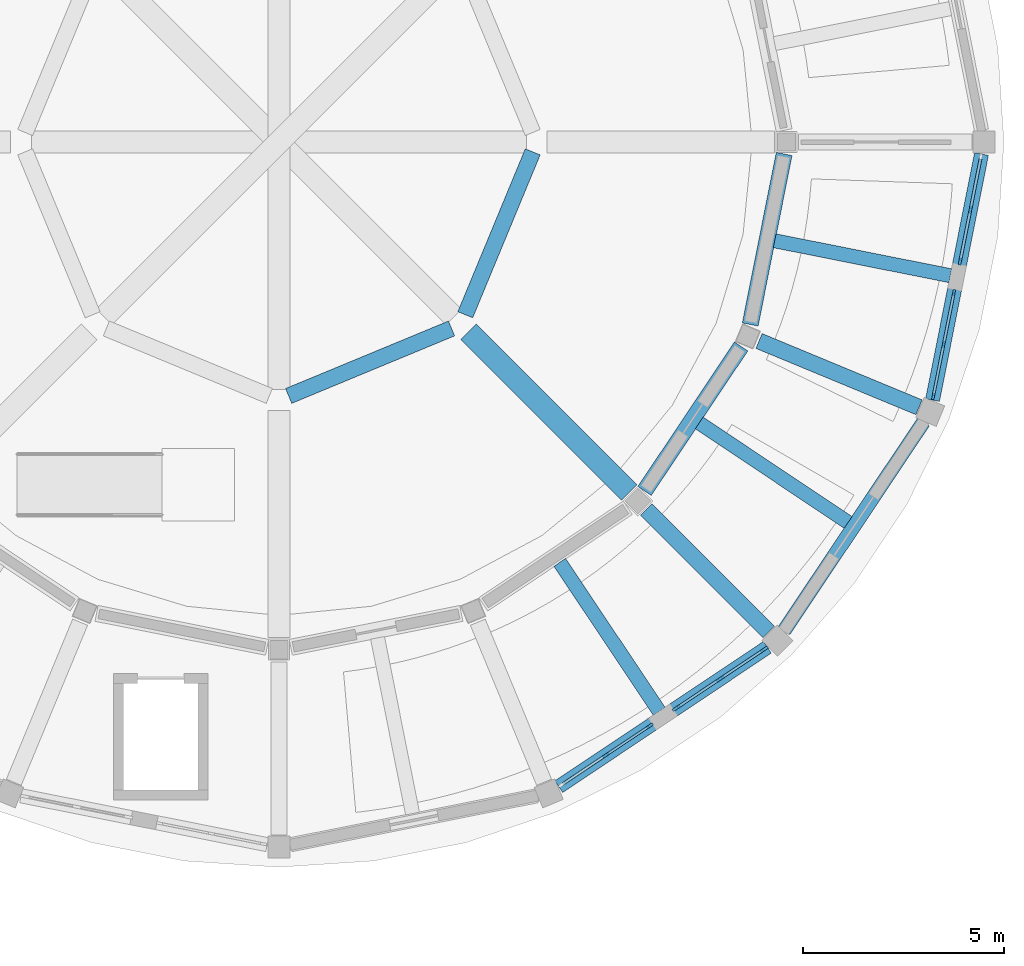
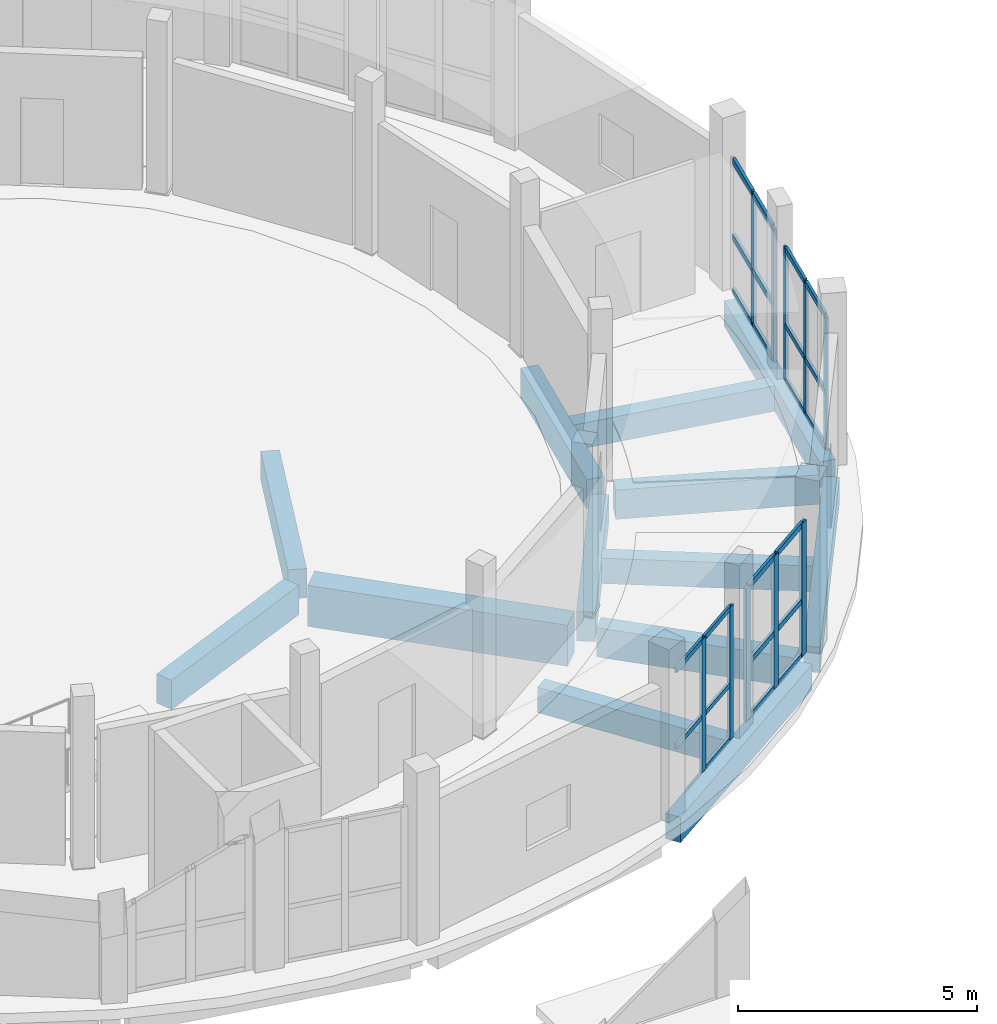
# One storey, part 46 of 92: 33 members, 13 beams, 4 elements without a shape of their own.
"""IFC4 building model written with IfcOpenShell, lengths in metres."""

from ifc_helpers import new_model, si_unit, direction, frame, origin, origin_2d, place, context, subcontext, project, spatial, rectangle, extrude, material, layer, layer_set, material_profile, profile_set, type_object, element, aggregate, save


model = new_model("IFC4")

# Units and contexts
model_context = context("Model", 3, precision=1e-05, world=origin(), true_north=direction((0.0, 1.0)))
body_context = subcontext(model_context, "Body", "Model", "MODEL_VIEW")
ifc_project = project(units=[si_unit("LENGTHUNIT", "METRE"), si_unit("AREAUNIT", "SQUARE_METRE"), si_unit("VOLUMEUNIT", "CUBIC_METRE"), si_unit("PLANEANGLEUNIT", "RADIAN"), si_unit("MASSUNIT", "GRAM", prefix="KILO")], contexts=[model_context])

# Site, building, storey
site_placement = place(None, origin())
site = spatial("IfcSite", under=ifc_project, at=site_placement, CompositionType="ELEMENT")
building_placement = place(site_placement, origin())
building = spatial("IfcBuilding", under=site, at=building_placement, Name="Caldaven Crescent School", CompositionType="ELEMENT")
storey_placement = place(building_placement, origin())
storey = spatial("IfcBuildingStorey", under=building, at=storey_placement, Name="L00", CompositionType="ELEMENT", Elevation=0.0)

# Beams
ifc_material_1 = material(Name="Concrete C30/37", Category="concrete")
ifc_material_profile_1 = material_profile(ifc_material_1, rectangle(XDim=0.35009765625, YDim=0.64990234375, at=origin_2d()), Name="RC 350x650")
ifc_profile_set_1 = profile_set([ifc_material_profile_1], Name="Concrete C30/37")
beam_type_1 = type_object("IfcBeamType", Name="BM-RC35", PredefinedType="BEAM", material=ifc_profile_set_1)
for number, where, z_axis, x_axis, name in (
    (1, (159.47119140625, 88.06689453125, -0.5849609375), (0.55554893791, -0.831483840845, 0.0), (0.831483840845, 0.55554893791, 0.0), "JS-V1-L00-0071"),
    (2, (162.93310546875, 91.52880859375, -0.5849609375), (0.831483840845, -0.55554893791, 0.0), (0.55554893791, 0.831483840845, 0.0), "JS-V1-L00-0077"),
):
    element("IfcBeam", number, at=place(storey_placement, frame(where, z_axis=z_axis, x_axis=x_axis)), inside=storey, type_object=beam_type_1, Name=name, PredefinedType="BEAM", context=body_context, shape_type="SweptSolid", body=[
        extrude(rectangle(XDim=0.35009765625, YDim=0.64990234375, at=origin_2d()), origin(), (0.0, 0.0, 1.0), 4.446044921875),
    ])
beam_1_placement = place(storey_placement, frame((164.806884765625, 96.052001953125, -0.5849609375), z_axis=(0.980780813205, -0.195112778797, 0.0), x_axis=(0.195112778797, 0.980780813205, 0.0)))
element("IfcBeam", 3, at=beam_1_placement, inside=storey, type_object=beam_type_1, Name="JS-V1-L00-0081", PredefinedType="BEAM", context=body_context, shape_type="SweptSolid", body=[
    extrude(rectangle(XDim=0.35009765625, YDim=0.64990234375, at=origin_2d()), origin(), (0.0, 0.0, 1.0), 4.44580078125),
])
ifc_material_2 = material(Name="Concrete C35/45", Category="concrete")
ifc_material_profile_2 = material_profile(ifc_material_2, rectangle(XDim=0.39990234375, YDim=0.75, at=origin_2d()), Name="RC 400x750")
ifc_profile_set_2 = profile_set([ifc_material_profile_2], Name="Concrete C35/45")
beam_type_2 = type_object("IfcBeamType", Name="BM-RC40", PredefinedType="BEAM", material=ifc_profile_set_2)
for number, where, z_axis, x_axis, name in (
    (4, (152.740234375, 92.199462890625, -0.635009765625), (0.923873426677, 0.38269817282, 0.0), (-0.38269817282, 0.923873426677, 0.0), "BM-V1-L00-0062"),
    (5, (157.125, 94.21484375, -0.635009765625), (0.38269817282, 0.923873426677, 0.0), (-0.923873426677, 0.38269817282, 0.0), "BM-V1-L00-0072"),
):
    element("IfcBeam", number, at=place(storey_placement, frame(where, z_axis=z_axis, x_axis=x_axis)), inside=storey, type_object=beam_type_2, Name=name, PredefinedType="BEAM", context=body_context, shape_type="SweptSolid", body=[
        extrude(rectangle(XDim=0.39990234375, YDim=0.75, at=origin_2d()), origin(), (0.0, 0.0, 1.0), 4.378173828125),
    ])
beam_2_placement = place(storey_placement, frame((161.62158203125, 89.37841796875, -0.635009765625), z_axis=(0.707106781187, -0.707106781187, 0.0), x_axis=(0.707106781187, 0.707106781187, 0.0)))
element("IfcBeam", 6, at=beam_2_placement, inside=storey, type_object=beam_type_2, Name="BM-V1-L00-0074", PredefinedType="BEAM", context=body_context, shape_type="SweptSolid", body=[
    extrude(rectangle(XDim=0.39990234375, YDim=0.75, at=origin_2d()), origin(), (0.0, 0.0, 1.0), 4.30029296875),
])
beam_3_placement = place(storey_placement, frame((161.576171875, 89.83984375, -0.635009765625), z_axis=(0.555561396292, 0.831475516747, 0.0), x_axis=(-0.831475516747, 0.555561396292, 0.0)))
element("IfcBeam", 7, at=beam_3_placement, inside=storey, type_object=beam_type_2, Name="BM-V1-L00-0075", PredefinedType="BEAM", context=body_context, shape_type="SweptSolid", body=[
    extrude(rectangle(XDim=0.39990234375, YDim=0.75, at=origin_2d()), origin(), (0.0, 0.0, 1.0), 4.316162109375),
])
beam_4_placement = place(storey_placement, frame((164.41796875, 93.5634765625, -0.635009765625), z_axis=(0.923861125887, -0.382727866864, 0.0), x_axis=(0.382727866864, 0.923861125887, 0.0)))
element("IfcBeam", 8, at=beam_4_placement, inside=storey, type_object=beam_type_2, Name="BM-V1-L00-0078", PredefinedType="BEAM", context=body_context, shape_type="SweptSolid", body=[
    extrude(rectangle(XDim=0.39990234375, YDim=0.75, at=origin_2d()), origin(), (0.0, 0.0, 1.0), 4.300048828125),
])
beam_5_placement = place(storey_placement, frame((164.199462890625, 93.972412109375, -0.635009765625), z_axis=(0.1950826802, 0.980786800424, 0.0), x_axis=(-0.980786800424, 0.1950826802, 0.0)))
element("IfcBeam", 9, at=beam_5_placement, inside=storey, type_object=beam_type_2, Name="BM-V1-L00-0079", PredefinedType="BEAM", context=body_context, shape_type="SweptSolid", body=[
    extrude(rectangle(XDim=0.39990234375, YDim=0.75, at=origin_2d()), origin(), (0.0, 0.0, 1.0), 4.31640625),
])
ifc_material_profile_3 = material_profile(ifc_material_2, rectangle(XDim=0.550048828125, YDim=1.050048828125, at=origin_2d()), Name="RC 550x1050")
ifc_profile_set_3 = profile_set([ifc_material_profile_3], Name="Concrete C35/45")
beam_type_3 = type_object("IfcBeamType", Name="BM-RC55", PredefinedType="BEAM", material=ifc_profile_set_3)
beam_6_placement = place(storey_placement, frame((157.209228515625, 93.790771484375, -0.784912109375), z_axis=(0.707106781187, -0.707106781187, 0.0), x_axis=(0.707106781187, 0.707106781187, 0.0)))
element("IfcBeam", 10, at=beam_6_placement, inside=storey, type_object=beam_type_3, Name="BM-V1-L00-0073", PredefinedType="BEAM", context=body_context, shape_type="SweptSolid", body=[
    extrude(rectangle(XDim=0.550048828125, YDim=1.050048828125, at=origin_2d()), origin(), (0.0, 0.0, 1.0), 5.640380859375),
])

# Curtain wall, members
ifc_material_3 = material(Name="Anodised aluminium AA 6063-T6 and low-E double glazing", Category="aluminium")
ifc_layer_1 = layer(ifc_material_3, 0.22998046875)
ifc_layer_set_1 = layer_set([ifc_layer_1], Name="Anodised aluminium AA 6063-T6 and low-E double glazing")
curtain_wall_type_1 = type_object("IfcCurtainWallType", Name="CW-SYS4", PredefinedType="NOTDEFINED", material=ifc_layer_set_1)
curtain_wall_1_placement = place(storey_placement, origin())
curtain_wall_1 = element("IfcCurtainWall", 11, at=curtain_wall_1_placement, inside=storey, type_object=curtain_wall_type_1, Name="CW-L00-015", PredefinedType="NOTDEFINED")
ifc_material_4 = material(Name="Anodised aluminium AA 6063-T6", Category="aluminium")
ifc_material_profile_4 = material_profile(ifc_material_4, rectangle(XDim=0.06005859375, YDim=0.14990234375, at=origin_2d()), Name="CWM 60x150")
ifc_profile_set_4 = profile_set([ifc_material_profile_4], Name="Anodised aluminium AA 6063-T6")
member_type_1 = type_object("IfcMemberType", Name="CWM-T1", PredefinedType="MULLION", material=ifc_profile_set_4)
member_1_placement = place(storey_placement, frame((168.743896484375, 92.185546875, 0.0), z_axis=(0.0, 0.0, 1.0), x_axis=(-0.980785289392, 0.195090276825, 0.0)))
member_1 = element("IfcMember", 12, at=member_1_placement, type_object=member_type_1, Name="CW4 mullion 1", PredefinedType="MULLION", context=body_context, shape_type="SweptSolid", body=[
    extrude(rectangle(XDim=0.06005859375, YDim=0.14990234375, at=origin_2d()), origin(), (0.0, 0.0, 1.0), 3.39990234375),
])
member_2_placement = place(storey_placement, frame((169.0009765625, 93.477294921875, 0.0), z_axis=(0.0, 0.0, 1.0), x_axis=(-0.980785289392, 0.195090276825, 0.0)))
member_2 = element("IfcMember", 13, at=member_2_placement, type_object=member_type_1, Name="CW4 mullion 2", PredefinedType="MULLION", context=body_context, shape_type="SweptSolid", body=[
    extrude(rectangle(XDim=0.06005859375, YDim=0.14990234375, at=origin_2d()), origin(), (0.0, 0.0, 1.0), 3.39990234375),
])
member_3_placement = place(storey_placement, frame((169.2578125, 94.76904296875, 0.0), z_axis=(0.0, 0.0, 1.0), x_axis=(-0.980785289392, 0.195090276825, 0.0)))
member_3 = element("IfcMember", 14, at=member_3_placement, type_object=member_type_1, Name="CW4 mullion 3", PredefinedType="MULLION", context=body_context, shape_type="SweptSolid", body=[
    extrude(rectangle(XDim=0.06005859375, YDim=0.14990234375, at=origin_2d()), origin(), (0.0, 0.0, 1.0), 3.39990234375),
])

ifc_layer_2 = layer(ifc_material_3, 0.18994140625)
ifc_layer_set_2 = layer_set([ifc_layer_2], Name="Anodised aluminium AA 6063-T6 and low-E double glazing")
curtain_wall_type_2 = type_object("IfcCurtainWallType", Name="CW-SYS2", PredefinedType="NOTDEFINED", material=ifc_layer_set_2)
curtain_wall_2_placement = place(storey_placement, origin())
curtain_wall_2 = element("IfcCurtainWall", 15, at=curtain_wall_2_placement, inside=storey, type_object=curtain_wall_type_2, Name="CW-L00-013", PredefinedType="NOTDEFINED")
ifc_material_profile_5 = material_profile(ifc_material_4, rectangle(XDim=0.06494140625, YDim=0.179931640625, at=origin_2d()), Name="CWM 65x180")
ifc_profile_set_5 = profile_set([ifc_material_profile_5], Name="Anodised aluminium AA 6063-T6")
member_type_2 = type_object("IfcMemberType", Name="CWM-T2", PredefinedType="MULLION", material=ifc_profile_set_5)
member_4_placement = place(storey_placement, frame((160.6162109375, 83.280517578125, 0.0), z_axis=(0.0, 0.0, 1.0), x_axis=(-0.555569320019, 0.83147022235, 0.0)))
member_4 = element("IfcMember", 16, at=member_4_placement, type_object=member_type_2, Name="CW2 mullion 2", PredefinedType="MULLION", context=body_context, shape_type="SweptSolid", body=[
    extrude(rectangle(XDim=0.06494140625, YDim=0.179931640625, at=origin_2d()), origin(), (0.0, 0.0, 1.0), 3.39990234375),
])
member_5_placement = place(storey_placement, frame((161.709228515625, 84.0107421875, 0.0), z_axis=(0.0, 0.0, 1.0), x_axis=(-0.555569320019, 0.83147022235, 0.0)))
member_5 = element("IfcMember", 17, at=member_5_placement, type_object=member_type_2, Name="CW2 mullion 3", PredefinedType="MULLION", context=body_context, shape_type="SweptSolid", body=[
    extrude(rectangle(XDim=0.06494140625, YDim=0.179931640625, at=origin_2d()), origin(), (0.0, 0.0, 1.0), 3.39990234375),
])

ifc_layer_3 = layer(ifc_material_3, 0.169921875)
ifc_layer_set_3 = layer_set([ifc_layer_3], Name="Anodised aluminium AA 6063-T6 and low-E double glazing")
curtain_wall_type_3 = type_object("IfcCurtainWallType", Name="CW-SYS1", PredefinedType="NOTDEFINED", material=ifc_layer_set_3)
curtain_wall_3_placement = place(storey_placement, origin())
curtain_wall_3 = element("IfcCurtainWall", 18, at=curtain_wall_3_placement, inside=storey, type_object=curtain_wall_type_3, Name="CW-L00-016", PredefinedType="NOTDEFINED")
member_6_placement = place(storey_placement, frame((169.410400390625, 95.536376953125, 0.0), z_axis=(0.0, 0.0, 1.0), x_axis=(-0.980785289392, 0.195090276825, 0.0)))
member_6 = element("IfcMember", 19, at=member_6_placement, type_object=member_type_2, Name="CW1 mullion 1", PredefinedType="MULLION", context=body_context, shape_type="SweptSolid", body=[
    extrude(rectangle(XDim=0.06494140625, YDim=0.179931640625, at=origin_2d()), origin(), (0.0, 0.0, 1.0), 3.39990234375),
])
member_7_placement = place(storey_placement, frame((169.6669921875, 96.82568359375, 0.0), z_axis=(0.0, 0.0, 1.0), x_axis=(-0.980785289392, 0.195090276825, 0.0)))
member_7 = element("IfcMember", 20, at=member_7_placement, type_object=member_type_2, Name="CW1 mullion 2", PredefinedType="MULLION", context=body_context, shape_type="SweptSolid", body=[
    extrude(rectangle(XDim=0.06494140625, YDim=0.179931640625, at=origin_2d()), origin(), (0.0, 0.0, 1.0), 3.39990234375),
])

ifc_layer_4 = layer(ifc_material_3, 0.2099609375)
ifc_layer_set_4 = layer_set([ifc_layer_4], Name="Anodised aluminium AA 6063-T6 and low-E double glazing")
curtain_wall_type_4 = type_object("IfcCurtainWallType", Name="CW-SYS3", PredefinedType="NOTDEFINED", material=ifc_layer_set_4)
curtain_wall_4_placement = place(storey_placement, origin())
curtain_wall_4 = element("IfcCurtainWall", 21, at=curtain_wall_4_placement, inside=storey, type_object=curtain_wall_type_4, Name="CW-L00-014", PredefinedType="NOTDEFINED")
ifc_material_profile_6 = material_profile(ifc_material_4, rectangle(XDim=0.070068359375, YDim=0.2099609375, at=origin_2d()), Name="CWM 70x210")
ifc_profile_set_6 = profile_set([ifc_material_profile_6], Name="Anodised aluminium AA 6063-T6")
member_type_3 = type_object("IfcMemberType", Name="CWM-T3", PredefinedType="MULLION", material=ifc_profile_set_6)
member_8_placement = place(storey_placement, frame((162.364013671875, 84.4482421875, 0.0), z_axis=(0.0, 0.0, 1.0), x_axis=(-0.555571886154, 0.831468507711, 0.0)))
member_8 = element("IfcMember", 22, at=member_8_placement, type_object=member_type_3, Name="CW3 mullion 1", PredefinedType="MULLION", context=body_context, shape_type="SweptSolid", body=[
    extrude(rectangle(XDim=0.070068359375, YDim=0.2099609375, at=origin_2d()), origin(), (0.0, 0.0, 1.0), 3.39990234375),
])
member_9_placement = place(storey_placement, frame((163.455078125, 85.17724609375, 0.0), z_axis=(0.0, 0.0, 1.0), x_axis=(-0.555571886154, 0.831468507711, 0.0)))
member_9 = element("IfcMember", 23, at=member_9_placement, type_object=member_type_3, Name="CW3 mullion 2", PredefinedType="MULLION", context=body_context, shape_type="SweptSolid", body=[
    extrude(rectangle(XDim=0.070068359375, YDim=0.2099609375, at=origin_2d()), origin(), (0.0, 0.0, 1.0), 3.39990234375),
])
member_10_placement = place(storey_placement, frame((164.5458984375, 85.90625, 0.0), z_axis=(0.0, 0.0, 1.0), x_axis=(-0.555571886154, 0.831468507711, 0.0)))
member_10 = element("IfcMember", 24, at=member_10_placement, type_object=member_type_3, Name="CW3 mullion 3", PredefinedType="MULLION", context=body_context, shape_type="SweptSolid", body=[
    extrude(rectangle(XDim=0.070068359375, YDim=0.2099609375, at=origin_2d()), origin(), (0.0, 0.0, 1.0), 3.39990234375),
])

# Member
ifc_material_profile_7 = material_profile(ifc_material_4, rectangle(XDim=0.06005859375, YDim=0.1201171875, at=origin_2d()), Name="CWT 60x120")
ifc_profile_set_7 = profile_set([ifc_material_profile_7], Name="Anodised aluminium AA 6063-T6")
member_type_4 = type_object("IfcMemberType", Name="CWT-T1", PredefinedType="USERDEFINED", material=ifc_profile_set_7)
member_11_placement = place(storey_placement, frame((159.55029296875, 82.568115234375, 1.427978515625), z_axis=(0.831448700602, 0.555601528316, 0.0), x_axis=(-0.555601528316, 0.831448700602, 0.0)))
member_11 = element("IfcMember", 25, at=member_11_placement, type_object=member_type_4, Name="CW2 transom 1.2", ObjectType="TRANSOM", PredefinedType="USERDEFINED", context=body_context, shape_type="SweptSolid", body=[
    extrude(rectangle(XDim=0.06005859375, YDim=0.1201171875, at=origin_2d()), origin(), (0.0, 0.0, 1.0), 1.249755859375),
])

member_12_placement = place(storey_placement, frame((159.55029296875, 82.568115234375, 3.3701171875), z_axis=(0.831448700602, 0.555601528316, 0.0), x_axis=(-0.555601528316, 0.831448700602, 0.0)))
member_12 = element("IfcMember", 26, at=member_12_placement, type_object=member_type_4, Name="CW2 transom 1.3", ObjectType="TRANSOM", PredefinedType="USERDEFINED", context=body_context, shape_type="SweptSolid", body=[
    extrude(rectangle(XDim=0.06005859375, YDim=0.1201171875, at=origin_2d()), origin(), (0.0, 0.0, 1.0), 1.249755859375),
])

member_13_placement = place(storey_placement, frame((160.643310546875, 83.298583984375, 0.030029296875), z_axis=(0.831538946418, 0.555466453164, 0.0), x_axis=(-0.555466453164, 0.831538946418, 0.0)))
member_13 = element("IfcMember", 27, at=member_13_placement, type_object=member_type_4, Name="CW2 transom 2.1", ObjectType="TRANSOM", PredefinedType="USERDEFINED", context=body_context, shape_type="SweptSolid", body=[
    extrude(rectangle(XDim=0.06005859375, YDim=0.1201171875, at=origin_2d()), origin(), (0.0, 0.0, 1.0), 1.24951171875),
])

member_14_placement = place(storey_placement, frame((160.643310546875, 83.298583984375, 1.427978515625), z_axis=(0.831538946418, 0.555466453164, 0.0), x_axis=(-0.555466453164, 0.831538946418, 0.0)))
member_14 = element("IfcMember", 28, at=member_14_placement, type_object=member_type_4, Name="CW2 transom 2.2", ObjectType="TRANSOM", PredefinedType="USERDEFINED", context=body_context, shape_type="SweptSolid", body=[
    extrude(rectangle(XDim=0.06005859375, YDim=0.1201171875, at=origin_2d()), origin(), (0.0, 0.0, 1.0), 1.24951171875),
])

member_15_placement = place(storey_placement, frame((160.643310546875, 83.298583984375, 3.3701171875), z_axis=(0.831538946418, 0.555466453164, 0.0), x_axis=(-0.555466453164, 0.831538946418, 0.0)))
member_15 = element("IfcMember", 29, at=member_15_placement, type_object=member_type_4, Name="CW2 transom 2.3", ObjectType="TRANSOM", PredefinedType="USERDEFINED", context=body_context, shape_type="SweptSolid", body=[
    extrude(rectangle(XDim=0.06005859375, YDim=0.1201171875, at=origin_2d()), origin(), (0.0, 0.0, 1.0), 1.24951171875),
])

aggregate(curtain_wall_2, [member_4, member_5, member_11, member_12, member_13, member_14, member_15])

ifc_material_profile_8 = material_profile(ifc_material_4, rectangle(XDim=0.06494140625, YDim=0.139892578125, at=origin_2d()), Name="CWT 65x140")
ifc_profile_set_8 = profile_set([ifc_material_profile_8], Name="Anodised aluminium AA 6063-T6")
member_type_5 = type_object("IfcMemberType", Name="CWT-T2", PredefinedType="USERDEFINED", material=ifc_profile_set_8)
member_16_placement = place(storey_placement, frame((162.393310546875, 84.4677734375, 0.032470703125), z_axis=(0.831505536539, 0.555516464837, 0.0), x_axis=(-0.555516464837, 0.831505536539, 0.0)))
member_16 = element("IfcMember", 30, at=member_16_placement, type_object=member_type_5, Name="CW3 transom 1.1", ObjectType="TRANSOM", PredefinedType="USERDEFINED", context=body_context, shape_type="SweptSolid", body=[
    extrude(rectangle(XDim=0.06494140625, YDim=0.139892578125, at=origin_2d()), origin(), (0.0, 0.0, 1.0), 1.241943359375),
])

member_17_placement = place(storey_placement, frame((162.393310546875, 84.4677734375, 1.427978515625), z_axis=(0.831505536539, 0.555516464837, 0.0), x_axis=(-0.555516464837, 0.831505536539, 0.0)))
member_17 = element("IfcMember", 31, at=member_17_placement, type_object=member_type_5, Name="CW3 transom 1.2", ObjectType="TRANSOM", PredefinedType="USERDEFINED", context=body_context, shape_type="SweptSolid", body=[
    extrude(rectangle(XDim=0.06494140625, YDim=0.139892578125, at=origin_2d()), origin(), (0.0, 0.0, 1.0), 1.241943359375),
])

member_18_placement = place(storey_placement, frame((162.393310546875, 84.4677734375, 3.367431640625), z_axis=(0.831505536539, 0.555516464837, 0.0), x_axis=(-0.555516464837, 0.831505536539, 0.0)))
member_18 = element("IfcMember", 32, at=member_18_placement, type_object=member_type_5, Name="CW3 transom 1.3", ObjectType="TRANSOM", PredefinedType="USERDEFINED", context=body_context, shape_type="SweptSolid", body=[
    extrude(rectangle(XDim=0.06494140625, YDim=0.139892578125, at=origin_2d()), origin(), (0.0, 0.0, 1.0), 1.241943359375),
])

member_19_placement = place(storey_placement, frame((163.484130859375, 85.19677734375, 0.032470703125), z_axis=(0.831505536539, 0.555516464837, 0.0), x_axis=(-0.555516464837, 0.831505536539, 0.0)))
member_19 = element("IfcMember", 33, at=member_19_placement, type_object=member_type_5, Name="CW3 transom 2.1", ObjectType="TRANSOM", PredefinedType="USERDEFINED", context=body_context, shape_type="SweptSolid", body=[
    extrude(rectangle(XDim=0.06494140625, YDim=0.139892578125, at=origin_2d()), origin(), (0.0, 0.0, 1.0), 1.241943359375),
])

member_20_placement = place(storey_placement, frame((163.484130859375, 85.19677734375, 1.427978515625), z_axis=(0.831505536539, 0.555516464837, 0.0), x_axis=(-0.555516464837, 0.831505536539, 0.0)))
member_20 = element("IfcMember", 34, at=member_20_placement, type_object=member_type_5, Name="CW3 transom 2.2", ObjectType="TRANSOM", PredefinedType="USERDEFINED", context=body_context, shape_type="SweptSolid", body=[
    extrude(rectangle(XDim=0.06494140625, YDim=0.139892578125, at=origin_2d()), origin(), (0.0, 0.0, 1.0), 1.241943359375),
])

member_21_placement = place(storey_placement, frame((163.484130859375, 85.19677734375, 3.367431640625), z_axis=(0.831505536539, 0.555516464837, 0.0), x_axis=(-0.555516464837, 0.831505536539, 0.0)))
member_21 = element("IfcMember", 35, at=member_21_placement, type_object=member_type_5, Name="CW3 transom 2.3", ObjectType="TRANSOM", PredefinedType="USERDEFINED", context=body_context, shape_type="SweptSolid", body=[
    extrude(rectangle(XDim=0.06494140625, YDim=0.139892578125, at=origin_2d()), origin(), (0.0, 0.0, 1.0), 1.241943359375),
])

aggregate(curtain_wall_4, [member_8, member_9, member_10, member_16, member_17, member_18, member_19, member_20, member_21])

member_22_placement = place(storey_placement, frame((168.749755859375, 92.215087890625, 0.032470703125), z_axis=(0.195219522641, 0.980759571954, 0.0), x_axis=(-0.980759571954, 0.195219522641, 0.0)))
member_22 = element("IfcMember", 36, at=member_22_placement, type_object=member_type_5, Name="CW4 transom 1.1", ObjectType="TRANSOM", PredefinedType="USERDEFINED", context=body_context, shape_type="SweptSolid", body=[
    extrude(rectangle(XDim=0.06494140625, YDim=0.139892578125, at=origin_2d()), origin(), (0.0, 0.0, 1.0), 1.2568359375),
])

member_23_placement = place(storey_placement, frame((168.749755859375, 92.215087890625, 1.427978515625), z_axis=(0.195219522641, 0.980759571954, 0.0), x_axis=(-0.980759571954, 0.195219522641, 0.0)))
member_23 = element("IfcMember", 37, at=member_23_placement, type_object=member_type_5, Name="CW4 transom 1.2", ObjectType="TRANSOM", PredefinedType="USERDEFINED", context=body_context, shape_type="SweptSolid", body=[
    extrude(rectangle(XDim=0.06494140625, YDim=0.139892578125, at=origin_2d()), origin(), (0.0, 0.0, 1.0), 1.2568359375),
])

member_24_placement = place(storey_placement, frame((168.749755859375, 92.215087890625, 3.367431640625), z_axis=(0.195219522641, 0.980759571954, 0.0), x_axis=(-0.980759571954, 0.195219522641, 0.0)))
member_24 = element("IfcMember", 38, at=member_24_placement, type_object=member_type_5, Name="CW4 transom 1.3", ObjectType="TRANSOM", PredefinedType="USERDEFINED", context=body_context, shape_type="SweptSolid", body=[
    extrude(rectangle(XDim=0.06494140625, YDim=0.139892578125, at=origin_2d()), origin(), (0.0, 0.0, 1.0), 1.2568359375),
])

member_25_placement = place(storey_placement, frame((169.0068359375, 93.506591796875, 0.032470703125), z_axis=(0.194995514945, 0.980804133939, 0.0), x_axis=(-0.980804133939, 0.194995514945, 0.0)))
member_25 = element("IfcMember", 39, at=member_25_placement, type_object=member_type_5, Name="CW4 transom 2.1", ObjectType="TRANSOM", PredefinedType="USERDEFINED", context=body_context, shape_type="SweptSolid", body=[
    extrude(rectangle(XDim=0.06494140625, YDim=0.139892578125, at=origin_2d()), origin(), (0.0, 0.0, 1.0), 1.257080078125),
])

member_26_placement = place(storey_placement, frame((169.0068359375, 93.506591796875, 1.427978515625), z_axis=(0.194995514945, 0.980804133939, 0.0), x_axis=(-0.980804133939, 0.194995514945, 0.0)))
member_26 = element("IfcMember", 40, at=member_26_placement, type_object=member_type_5, Name="CW4 transom 2.2", ObjectType="TRANSOM", PredefinedType="USERDEFINED", context=body_context, shape_type="SweptSolid", body=[
    extrude(rectangle(XDim=0.06494140625, YDim=0.139892578125, at=origin_2d()), origin(), (0.0, 0.0, 1.0), 1.257080078125),
])

member_27_placement = place(storey_placement, frame((169.0068359375, 93.506591796875, 3.367431640625), z_axis=(0.194995514945, 0.980804133939, 0.0), x_axis=(-0.980804133939, 0.194995514945, 0.0)))
member_27 = element("IfcMember", 41, at=member_27_placement, type_object=member_type_5, Name="CW4 transom 2.3", ObjectType="TRANSOM", PredefinedType="USERDEFINED", context=body_context, shape_type="SweptSolid", body=[
    extrude(rectangle(XDim=0.06494140625, YDim=0.139892578125, at=origin_2d()), origin(), (0.0, 0.0, 1.0), 1.257080078125),
])

aggregate(curtain_wall_1, [member_1, member_2, member_3, member_22, member_23, member_24, member_25, member_26, member_27])

ifc_material_profile_9 = material_profile(ifc_material_4, rectangle(XDim=0.070068359375, YDim=0.159912109375, at=origin_2d()), Name="CWT 70x160")
ifc_profile_set_9 = profile_set([ifc_material_profile_9], Name="Anodised aluminium AA 6063-T6")
member_type_6 = type_object("IfcMemberType", Name="CWT-T3", PredefinedType="USERDEFINED", material=ifc_profile_set_9)
member_28_placement = place(storey_placement, frame((169.416748046875, 95.568359375, 0.034912109375), z_axis=(0.195176756087, 0.980768083638, 0.0), x_axis=(-0.980768083638, 0.195176756087, 0.0)))
member_28 = element("IfcMember", 42, at=member_28_placement, type_object=member_type_6, Name="CW1 transom 1.1", ObjectType="TRANSOM", PredefinedType="USERDEFINED", context=body_context, shape_type="SweptSolid", body=[
    extrude(rectangle(XDim=0.070068359375, YDim=0.159912109375, at=origin_2d()), origin(), (0.0, 0.0, 1.0), 1.24951171875),
])

member_29_placement = place(storey_placement, frame((169.416748046875, 95.568359375, 1.427978515625), z_axis=(0.195176756087, 0.980768083638, 0.0), x_axis=(-0.980768083638, 0.195176756087, 0.0)))
member_29 = element("IfcMember", 43, at=member_29_placement, type_object=member_type_6, Name="CW1 transom 1.2", ObjectType="TRANSOM", PredefinedType="USERDEFINED", context=body_context, shape_type="SweptSolid", body=[
    extrude(rectangle(XDim=0.070068359375, YDim=0.159912109375, at=origin_2d()), origin(), (0.0, 0.0, 1.0), 1.24951171875),
])

member_30_placement = place(storey_placement, frame((169.416748046875, 95.568359375, 3.364990234375), z_axis=(0.195176756087, 0.980768083638, 0.0), x_axis=(-0.980768083638, 0.195176756087, 0.0)))
member_30 = element("IfcMember", 44, at=member_30_placement, type_object=member_type_6, Name="CW1 transom 1.3", ObjectType="TRANSOM", PredefinedType="USERDEFINED", context=body_context, shape_type="SweptSolid", body=[
    extrude(rectangle(XDim=0.070068359375, YDim=0.159912109375, at=origin_2d()), origin(), (0.0, 0.0, 1.0), 1.24951171875),
])

member_31_placement = place(storey_placement, frame((169.67333984375, 96.857666015625, 0.034912109375), z_axis=(0.194988815711, 0.980805465802, 0.0), x_axis=(-0.980805465802, 0.194988815711, 0.0)))
member_31 = element("IfcMember", 45, at=member_31_placement, type_object=member_type_6, Name="CW1 transom 2.1", ObjectType="TRANSOM", PredefinedType="USERDEFINED", context=body_context, shape_type="SweptSolid", body=[
    extrude(rectangle(XDim=0.070068359375, YDim=0.159912109375, at=origin_2d()), origin(), (0.0, 0.0, 1.0), 1.24951171875),
])

member_32_placement = place(storey_placement, frame((169.67333984375, 96.857666015625, 1.427978515625), z_axis=(0.194988815711, 0.980805465802, 0.0), x_axis=(-0.980805465802, 0.194988815711, 0.0)))
member_32 = element("IfcMember", 46, at=member_32_placement, type_object=member_type_6, Name="CW1 transom 2.2", ObjectType="TRANSOM", PredefinedType="USERDEFINED", context=body_context, shape_type="SweptSolid", body=[
    extrude(rectangle(XDim=0.070068359375, YDim=0.159912109375, at=origin_2d()), origin(), (0.0, 0.0, 1.0), 1.24951171875),
])

member_33_placement = place(storey_placement, frame((169.67333984375, 96.857666015625, 3.364990234375), z_axis=(0.194988815711, 0.980805465802, 0.0), x_axis=(-0.980805465802, 0.194988815711, 0.0)))
member_33 = element("IfcMember", 47, at=member_33_placement, type_object=member_type_6, Name="CW1 transom 2.3", ObjectType="TRANSOM", PredefinedType="USERDEFINED", context=body_context, shape_type="SweptSolid", body=[
    extrude(rectangle(XDim=0.070068359375, YDim=0.159912109375, at=origin_2d()), origin(), (0.0, 0.0, 1.0), 1.24951171875),
])

aggregate(curtain_wall_3, [member_6, member_7, member_28, member_29, member_30, member_31, member_32, member_33])

# Beams
ifc_material_profile_10 = material_profile(ifc_material_1, rectangle(XDim=0.35009765625, YDim=0.64990234375, at=origin_2d()), Name="RC 350x650")
ifc_profile_set_10 = profile_set([ifc_material_profile_10], Name="Concrete C30/37")
beam_type_4 = type_object("IfcBeamType", Name="SP-RC35", PredefinedType="SPANDREL", material=ifc_profile_set_10)
for number, where, z_axis, x_axis, name in (
    (48, (159.4462890625, 82.498779296875, -0.5849609375), (0.831476950535, 0.555559250421, 0.0), (-0.555559250421, 0.831476950535, 0.0), "BM-V1-L00-0070"),
    (49, (165.041015625, 86.375, -0.5849609375), (0.555559250421, 0.831476950535, 0.0), (-0.831476950535, 0.555559250421, 0.0), "BM-V1-L00-0076"),
    (50, (168.726318359375, 92.09716796875, -0.5849609375), (0.195090836929, 0.98078517798, 0.0), (-0.98078517798, 0.195090836929, 0.0), "BM-V1-L00-0080"),
):
    element("IfcBeam", number, at=place(storey_placement, frame(where, z_axis=z_axis, x_axis=x_axis)), inside=storey, type_object=beam_type_4, Name=name, PredefinedType="SPANDREL", context=body_context, shape_type="SweptSolid", body=[
        extrude(rectangle(XDim=0.35009765625, YDim=0.64990234375, at=origin_2d()), origin(), (0.0, 0.0, 1.0), 6.228271484375),
    ])

save(model, "model.ifc")
